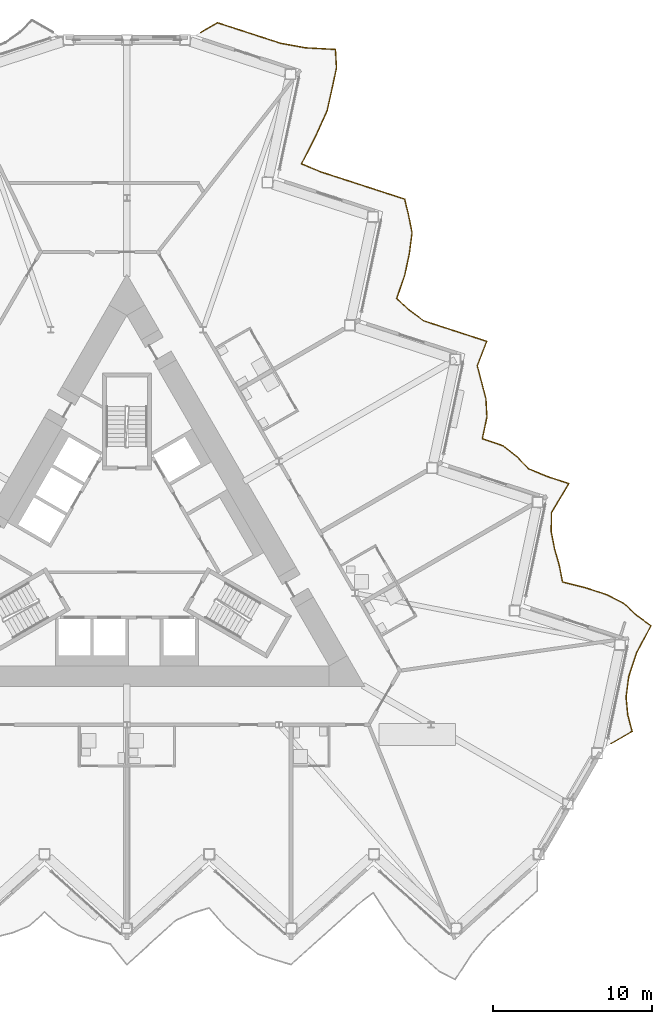
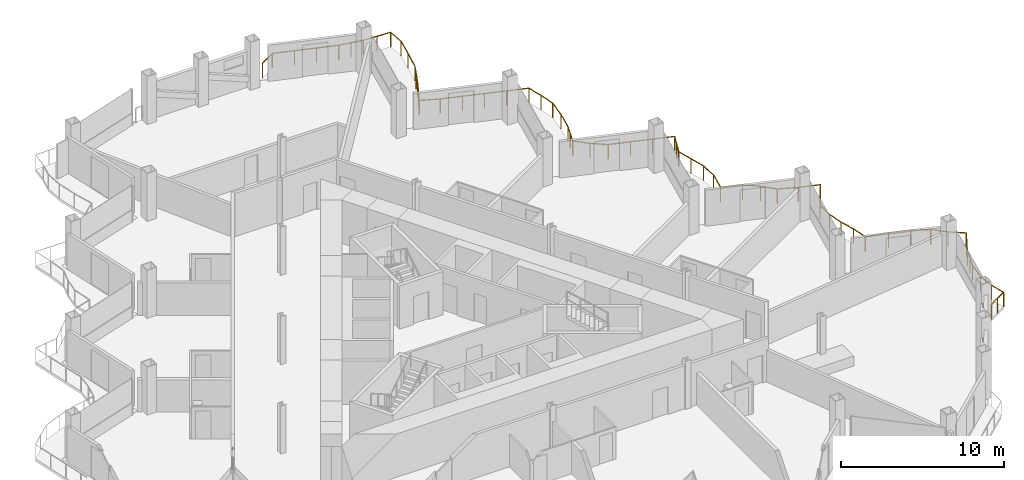
# One storey, part 22 of 24: 1 railing.
"""IFC4 building model written with IfcOpenShell, lengths in metres."""

from ifc_helpers import new_model, si_unit, direction, frame, origin, origin_2d, place, context, subcontext, project, spatial, circle, extrude, material, type_object, element, save


model = new_model("IFC4")

# Units and contexts
model_context = context("Model", 3, precision=1e-05, world=origin(), true_north=direction((0.0, 1.0)))
body_context = subcontext(model_context, "Body", "Model", "MODEL_VIEW")
ifc_project = project(units=[si_unit("LENGTHUNIT", "METRE"), si_unit("AREAUNIT", "SQUARE_METRE"), si_unit("VOLUMEUNIT", "CUBIC_METRE"), si_unit("PLANEANGLEUNIT", "RADIAN"), si_unit("MASSUNIT", "GRAM", prefix="KILO")], contexts=[model_context])

# Site, building, storey
site_placement = place(None, origin())
site = spatial("IfcSite", under=ifc_project, at=site_placement, CompositionType="ELEMENT")
building_placement = place(site_placement, origin())
building = spatial("IfcBuilding", under=site, at=building_placement, Name="Cormorant Prow Tower", CompositionType="ELEMENT")
storey_placement = place(building_placement, frame((0.0, 0.0, 231.0)))
storey = spatial("IfcBuildingStorey", under=building, at=storey_placement, Name="L50", CompositionType="ELEMENT", Elevation=231.0)

# Railing
ifc_material = material(Name="Aluminium 6063-T6", Category="aluminium")
railing_type = type_object("IfcRailingType", Name="Balcony guard 1100", PredefinedType="GUARDRAIL", material=ifc_material)
railing_placement = place(storey_placement, frame((30.512451171875, -12.24365234375, 0.0)))
element("IfcRailing", 1, at=railing_placement, inside=storey, type_object=railing_type, Name="Balcony guard ENE", PredefinedType="GUARDRAIL", context=body_context, shape_type="SweptSolid", body=[
    extrude(circle(Radius=0.02392578125, at=origin_2d()), frame((0.0, 0.0, 1.076171875), z_axis=(0.866030456496, 0.499991248344, 0.0), x_axis=(-0.499991248344, 0.866030456496, 0.0)), (0.0, 0.0, 1.0), 1.52001953125),
    extrude(circle(Radius=0.02392578125, at=origin_2d()), frame((1.31640625, 0.760009765625, 1.076171875), z_axis=(-0.254840792484, 0.966983024921, 0.0), x_axis=(-0.966983024921, -0.254840792484, 0.0)), (0.0, 0.0, 1.0), 1.072021484375),
    extrude(circle(Radius=0.02392578125, at=origin_2d()), frame((1.043212890625, 1.796630859375, 1.076171875), z_axis=(-0.096228090326, 0.995359309311, 0.0), x_axis=(-0.995359309311, -0.096228090326, 0.0)), (0.0, 0.0, 1.0), 1.13671875),
    extrude(circle(Radius=0.02392578125, at=origin_2d()), frame((0.933837890625, 2.927978515625, 1.076171875), z_axis=(0.131035567857, 0.991377667671, 0.0), x_axis=(-0.991377667671, 0.131035567857, 0.0)), (0.0, 0.0, 1.0), 1.30419921875),
    extrude(circle(Radius=0.02392578125, at=origin_2d()), frame((1.104736328125, 4.220947265625, 1.076171875), z_axis=(0.312593203232, 0.949887092919, 0.0), x_axis=(-0.949887092919, 0.312593203232, 0.0)), (0.0, 0.0, 1.0), 1.552734375),
    extrude(circle(Radius=0.02392578125, at=origin_2d()), frame((1.590087890625, 5.69580078125, 1.076171875), z_axis=(0.468727775274, 0.883342670025, 0.0), x_axis=(-0.883342670025, 0.468727775274, 0.0)), (0.0, 0.0, 1.0), 1.948974609375),
    extrude(circle(Radius=0.02392578125, at=origin_2d()), frame((2.503662109375, 7.41748046875, 1.076171875), z_axis=(-0.808512145114, 0.588479490894, 0.0), x_axis=(-0.588479490894, -0.808512145114, 0.0)), (0.0, 0.0, 1.0), 1.1318359375),
    extrude(circle(Radius=0.02392578125, at=origin_2d()), frame((1.588623046875, 8.08349609375, 1.076171875), z_axis=(-0.729332902847, 0.68415898505, 0.0), x_axis=(-0.68415898505, -0.729332902847, 0.0)), (0.0, 0.0, 1.0), 1.080810546875),
    extrude(circle(Radius=0.02392578125, at=origin_2d()), frame((0.80029296875, 8.822998046875, 1.076171875), z_axis=(-0.891036475341, 0.453931712499, 0.0), x_axis=(-0.453931712499, -0.891036475341, 0.0)), (0.0, 0.0, 1.0), 1.233154296875),
    extrude(circle(Radius=0.02392578125, at=origin_2d()), frame((-0.298583984375, 9.3828125, 1.076171875), z_axis=(-0.951041802481, 0.30906227517, 0.0), x_axis=(-0.30906227517, -0.951041802481, 0.0)), (0.0, 0.0, 1.0), 1.391845703125),
    extrude(circle(Radius=0.02392578125, at=origin_2d()), frame((-1.622314453125, 9.81298828125, 1.076171875), z_axis=(-0.970161796479, 0.242458426648, 0.0), x_axis=(-0.242458426648, -0.970161796479, 0.0)), (0.0, 0.0, 1.0), 1.48828125),
    extrude(circle(Radius=0.02392578125, at=origin_2d()), frame((-3.066162109375, 10.173828125, 1.076171875), z_axis=(-0.192507229967, 0.981295555075, 0.0), x_axis=(-0.981295555075, -0.192507229967, 0.0)), (0.0, 0.0, 1.0), 1.09326171875),
    extrude(circle(Radius=0.02392578125, at=origin_2d()), frame((-3.276611328125, 11.24658203125, 1.076171875), z_axis=(-0.276717339996, 0.960951358678, 0.0), x_axis=(-0.960951358678, -0.276717339996, 0.0)), (0.0, 0.0, 1.0), 1.065673828125),
    extrude(circle(Radius=0.02392578125, at=origin_2d()), frame((-3.571533203125, 12.270751953125, 1.076171875), z_axis=(-0.191263897911, 0.981538649955, 0.0), x_axis=(-0.981538649955, -0.191263897911, 0.0)), (0.0, 0.0, 1.0), 1.093994140625),
    extrude(circle(Radius=0.02392578125, at=origin_2d()), frame((-3.78076171875, 13.344482421875, 1.076171875), z_axis=(0.0183993115, 0.99983071834, 0.0), x_axis=(-0.99983071834, 0.0183993115, 0.0)), (0.0, 0.0, 1.0), 1.20751953125),
    extrude(circle(Radius=0.02392578125, at=origin_2d()), frame((-3.758544921875, 14.5517578125, 1.076171875), z_axis=(0.513058699108, 0.85835352348, 0.0), x_axis=(-0.85835352348, 0.513058699108, 0.0)), (0.0, 0.0, 1.0), 2.124755859375),
    extrude(circle(Radius=0.02392578125, at=origin_2d()), frame((-2.66845703125, 16.37548828125, 1.076171875), z_axis=(-0.951025043764, 0.309113840087, 0.0), x_axis=(-0.309113840087, -0.951025043764, 0.0)), (0.0, 0.0, 1.0), 1.3916015625),
    extrude(circle(Radius=0.02392578125, at=origin_2d()), frame((-3.991943359375, 16.8056640625, 1.076171875), z_axis=(-0.924623875509, 0.380881462975, 0.0), x_axis=(-0.380881462975, -0.924623875509, 0.0)), (0.0, 0.0, 1.0), 1.3056640625),
    extrude(circle(Radius=0.02392578125, at=origin_2d()), frame((-5.19921875, 17.302978515625, 1.076171875), z_axis=(-0.698129452418, 0.715971555068, 0.0), x_axis=(-0.715971555068, -0.698129452418, 0.0)), (0.0, 0.0, 1.0), 1.0673828125),
    extrude(circle(Radius=0.02392578125, at=origin_2d()), frame((-5.9443359375, 18.067138671875, 1.076171875), z_axis=(-0.783814393547, 0.62099516622, 0.0), x_axis=(-0.62099516622, -0.783814393547, 0.0)), (0.0, 0.0, 1.0), 1.112548828125),
    extrude(circle(Radius=0.02392578125, at=origin_2d()), frame((-6.81640625, 18.758056640625, 1.076171875), z_axis=(-0.946657972605, 0.322240101327, 0.0), x_axis=(-0.322240101327, -0.946657972605, 0.0)), (0.0, 0.0, 1.0), 1.375),
    extrude(circle(Radius=0.02392578125, at=origin_2d()), frame((-8.1181640625, 19.201171875, 1.076171875), z_axis=(0.208043372931, 0.978119601572, 0.0), x_axis=(-0.978119601572, 0.208043372931, 0.0)), (0.0, 0.0, 1.0), 1.391845703125),
    extrude(circle(Radius=0.02392578125, at=origin_2d()), frame((-7.82861328125, 20.5625, 1.076171875), z_axis=(-0.053663343853, 0.998559084645, 0.0), x_axis=(-0.998559084645, -0.053663343853, 0.0)), (0.0, 0.0, 1.0), 1.16015625),
    extrude(circle(Radius=0.02392578125, at=origin_2d()), frame((-7.890869140625, 21.720947265625, 1.076171875), z_axis=(-0.255804906349, 0.96672842613, 0.0), x_axis=(-0.96672842613, -0.255804906349, 0.0)), (0.0, 0.0, 1.0), 1.07177734375),
    extrude(circle(Radius=0.02392578125, at=origin_2d()), frame((-8.1650390625, 22.757080078125, 1.076171875), z_axis=(-0.254089825129, 0.967180624685, 0.0), x_axis=(-0.967180624685, -0.254089825129, 0.0)), (0.0, 0.0, 1.0), 1.072265625),
    extrude(circle(Radius=0.02392578125, at=origin_2d()), frame((-8.4375, 23.794189453125, 1.076171875), z_axis=(0.361682622655, 0.932301282027, 0.0), x_axis=(-0.932301282027, 0.361682622655, 0.0)), (0.0, 0.0, 1.0), 1.651123046875),
    extrude(circle(Radius=0.02392578125, at=origin_2d()), frame((-7.84033203125, 25.33349609375, 1.076171875), z_axis=(-0.951041802481, 0.30906227517, 0.0), x_axis=(-0.30906227517, -0.951041802481, 0.0)), (0.0, 0.0, 1.0), 1.391845703125),
    extrude(circle(Radius=0.02392578125, at=origin_2d()), frame((-9.1640625, 25.763671875, 1.076171875), z_axis=(-0.951041802481, 0.30906227517, 0.0), x_axis=(-0.30906227517, -0.951041802481, 0.0)), (0.0, 0.0, 1.0), 1.391845703125),
    extrude(circle(Radius=0.02392578125, at=origin_2d()), frame((-10.48779296875, 26.19384765625, 1.076171875), z_axis=(-0.951093348811, 0.308903612552, 0.0), x_axis=(-0.308903612552, -0.951093348811, 0.0)), (0.0, 0.0, 1.0), 1.391845703125),
    extrude(circle(Radius=0.02392578125, at=origin_2d()), frame((-11.8115234375, 26.623779296875, 1.076171875), z_axis=(-0.805338317459, 0.592815480932, 0.0), x_axis=(-0.592815480932, -0.805338317459, 0.0)), (0.0, 0.0, 1.0), 1.129150390625),
    extrude(circle(Radius=0.02392578125, at=origin_2d()), frame((-12.720947265625, 27.293212890625, 1.076171875), z_axis=(-0.730205983412, 0.683227064591, 0.0), x_axis=(-0.683227064591, -0.730205983412, 0.0)), (0.0, 0.0, 1.0), 1.0810546875),
    extrude(circle(Radius=0.02392578125, at=origin_2d()), frame((-13.51025390625, 28.03173828125, 1.076171875), z_axis=(0.32394351761, 0.946076422599, 0.0), x_axis=(-0.946076422599, 0.32394351761, 0.0)), (0.0, 0.0, 1.0), 1.57373046875),
    extrude(circle(Radius=0.02392578125, at=origin_2d()), frame((-13.00048828125, 29.5205078125, 1.076171875), z_axis=(0.207839876658, 0.978162862549, 0.0), x_axis=(-0.978162862549, 0.207839876658, 0.0)), (0.0, 0.0, 1.0), 1.39208984375),
    extrude(circle(Radius=0.02392578125, at=origin_2d()), frame((-12.711181640625, 30.882080078125, 1.076171875), z_axis=(0.127268491601, 0.991868303277, 0.0), x_axis=(-0.991868303277, 0.127268491601, 0.0)), (0.0, 0.0, 1.0), 1.300537109375),
    extrude(circle(Radius=0.02392578125, at=origin_2d()), frame((-12.545654296875, 32.172119140625, 1.076171875), z_axis=(-0.194182012414, 0.980965517261, 0.0), x_axis=(-0.980965517261, -0.194182012414, 0.0)), (0.0, 0.0, 1.0), 1.092529296875),
    extrude(circle(Radius=0.02392578125, at=origin_2d()), frame((-12.7578125, 33.243896484375, 1.076171875), z_axis=(-0.235975942888, 0.971758897247, 0.0), x_axis=(-0.971758897247, -0.235975942888, 0.0)), (0.0, 0.0, 1.0), 1.078125),
    extrude(circle(Radius=0.02392578125, at=origin_2d()), frame((-13.01220703125, 34.29150390625, 1.076171875), z_axis=(-0.951093348811, 0.308903612552, 0.0), x_axis=(-0.308903612552, -0.951093348811, 0.0)), (0.0, 0.0, 1.0), 1.391845703125),
    extrude(circle(Radius=0.02392578125, at=origin_2d()), frame((-14.3359375, 34.721435546875, 1.076171875), z_axis=(-0.950990235276, 0.309220911987, 0.0), x_axis=(-0.309220911987, -0.950990235276, 0.0)), (0.0, 0.0, 1.0), 1.391845703125),
    extrude(circle(Radius=0.02392578125, at=origin_2d()), frame((-15.65966796875, 35.15185546875, 1.076171875), z_axis=(-0.951093348811, 0.308903612552, 0.0), x_axis=(-0.308903612552, -0.951093348811, 0.0)), (0.0, 0.0, 1.0), 1.391845703125),
    extrude(circle(Radius=0.02392578125, at=origin_2d()), frame((-16.9833984375, 35.581787109375, 1.076171875), z_axis=(-0.951041802481, 0.30906227517, 0.0), x_axis=(-0.30906227517, -0.951041802481, 0.0)), (0.0, 0.0, 1.0), 1.391845703125),
    extrude(circle(Radius=0.02392578125, at=origin_2d()), frame((-18.30712890625, 36.011962890625, 1.076171875), z_axis=(-0.923038072254, 0.384708613329, 0.0), x_axis=(-0.384708613329, -0.923038072254, 0.0)), (0.0, 0.0, 1.0), 1.301513671875),
    extrude(circle(Radius=0.02392578125, at=origin_2d()), frame((-19.508544921875, 36.5126953125, 1.076171875), z_axis=(0.455501796215, 0.890234864317, 0.0), x_axis=(-0.890234864317, 0.455501796215, 0.0)), (0.0, 0.0, 1.0), 1.904296875),
    extrude(circle(Radius=0.02392578125, at=origin_2d()), frame((-18.64111328125, 38.2080078125, 1.076171875), z_axis=(0.414917620395, 0.909858982637, 0.0), x_axis=(-0.909858982637, 0.414917620395, 0.0)), (0.0, 0.0, 1.0), 1.78173828125),
    extrude(circle(Radius=0.02392578125, at=origin_2d()), frame((-17.90185546875, 39.8291015625, 1.076171875), z_axis=(0.219024854364, 0.975719279901, 0.0), x_axis=(-0.975719279901, 0.219024854364, 0.0)), (0.0, 0.0, 1.0), 1.40673828125),
    extrude(circle(Radius=0.02392578125, at=origin_2d()), frame((-17.59375, 41.20166015625, 1.076171875), z_axis=(0.208043372931, 0.978119601572, 0.0), x_axis=(-0.978119601572, 0.208043372931, 0.0)), (0.0, 0.0, 1.0), 1.391845703125),
    extrude(circle(Radius=0.02392578125, at=origin_2d()), frame((-17.30419921875, 42.56298828125, 1.076171875), z_axis=(-0.057992644245, 0.99831701038, 0.0), x_axis=(-0.99831701038, -0.057992644245, 0.0)), (0.0, 0.0, 1.0), 1.15771484375),
    extrude(circle(Radius=0.02392578125, at=origin_2d()), frame((-17.371337890625, 43.71875, 1.076171875), z_axis=(-0.998479361675, 0.055126802099, 0.0), x_axis=(-0.055126802099, -0.998479361675, 0.0)), (0.0, 0.0, 1.0), 1.89111328125),
    extrude(circle(Radius=0.02392578125, at=origin_2d()), frame((-19.259521484375, 43.822998046875, 1.076171875), z_axis=(-0.983754816104, 0.179517302209, 0.0), x_axis=(-0.179517302209, -0.983754816104, 0.0)), (0.0, 0.0, 1.0), 1.597900390625),
    extrude(circle(Radius=0.02392578125, at=origin_2d()), frame((-20.83154296875, 44.10986328125, 1.076171875), z_axis=(-0.951093348811, 0.308903612552, 0.0), x_axis=(-0.308903612552, -0.951093348811, 0.0)), (0.0, 0.0, 1.0), 1.391845703125),
    extrude(circle(Radius=0.02392578125, at=origin_2d()), frame((-22.1552734375, 44.539794921875, 1.076171875), z_axis=(-0.951041802481, 0.30906227517, 0.0), x_axis=(-0.30906227517, -0.951041802481, 0.0)), (0.0, 0.0, 1.0), 1.391845703125),
    extrude(circle(Radius=0.02392578125, at=origin_2d()), frame((-23.47900390625, 44.969970703125, 1.076171875), z_axis=(-0.951041802481, 0.30906227517, 0.0), x_axis=(-0.30906227517, -0.951041802481, 0.0)), (0.0, 0.0, 1.0), 1.391845703125),
    extrude(circle(Radius=0.02392578125, at=origin_2d()), frame((-24.802734375, 45.400146484375, 1.076171875), z_axis=(-0.866005645448, -0.500034220881, 0.0), x_axis=(0.500034220881, -0.866005645448, 0.0)), (0.0, 0.0, 1.0), 1.22021484375),
    extrude(circle(Radius=0.02099609375, at=origin_2d()), origin(), (0.0, 0.0, 1.0), 1.052001953125),
    extrude(circle(Radius=0.02099609375, at=origin_2d()), frame((0.658203125, 0.3798828125, 0.0)), (0.0, 0.0, 1.0), 1.052001953125),
    extrude(circle(Radius=0.02099609375, at=origin_2d()), frame((1.31640625, 0.760009765625, 0.0)), (0.0, 0.0, 1.0), 1.052001953125),
    extrude(circle(Radius=0.02099609375, at=origin_2d()), frame((1.043212890625, 1.796630859375, 0.0)), (0.0, 0.0, 1.0), 1.052001953125),
    extrude(circle(Radius=0.02099609375, at=origin_2d()), frame((0.933837890625, 2.927978515625, 0.0)), (0.0, 0.0, 1.0), 1.052001953125),
    extrude(circle(Radius=0.02099609375, at=origin_2d()), frame((1.104736328125, 4.220947265625, 0.0)), (0.0, 0.0, 1.0), 1.052001953125),
    extrude(circle(Radius=0.02099609375, at=origin_2d()), frame((1.347412109375, 4.95849609375, 0.0)), (0.0, 0.0, 1.0), 1.052001953125),
    extrude(circle(Radius=0.02099609375, at=origin_2d()), frame((1.590087890625, 5.69580078125, 0.0)), (0.0, 0.0, 1.0), 1.052001953125),
    extrude(circle(Radius=0.02099609375, at=origin_2d()), frame((2.046875, 6.556640625, 0.0)), (0.0, 0.0, 1.0), 1.052001953125),
    extrude(circle(Radius=0.02099609375, at=origin_2d()), frame((2.503662109375, 7.41748046875, 0.0)), (0.0, 0.0, 1.0), 1.052001953125),
    extrude(circle(Radius=0.02099609375, at=origin_2d()), frame((1.588623046875, 8.08349609375, 0.0)), (0.0, 0.0, 1.0), 1.052001953125),
    extrude(circle(Radius=0.02099609375, at=origin_2d()), frame((0.80029296875, 8.822998046875, 0.0)), (0.0, 0.0, 1.0), 1.052001953125),
    extrude(circle(Radius=0.02099609375, at=origin_2d()), frame((-0.298583984375, 9.3828125, 0.0)), (0.0, 0.0, 1.0), 1.052001953125),
    extrude(circle(Radius=0.02099609375, at=origin_2d()), frame((-1.622314453125, 9.81298828125, 0.0)), (0.0, 0.0, 1.0), 1.052001953125),
    extrude(circle(Radius=0.02099609375, at=origin_2d()), frame((-3.066162109375, 10.173828125, 0.0)), (0.0, 0.0, 1.0), 1.052001953125),
    extrude(circle(Radius=0.02099609375, at=origin_2d()), frame((-3.276611328125, 11.24658203125, 0.0)), (0.0, 0.0, 1.0), 1.052001953125),
    extrude(circle(Radius=0.02099609375, at=origin_2d()), frame((-3.571533203125, 12.270751953125, 0.0)), (0.0, 0.0, 1.0), 1.052001953125),
    extrude(circle(Radius=0.02099609375, at=origin_2d()), frame((-3.78076171875, 13.344482421875, 0.0)), (0.0, 0.0, 1.0), 1.052001953125),
    extrude(circle(Radius=0.02099609375, at=origin_2d()), frame((-3.758544921875, 14.5517578125, 0.0)), (0.0, 0.0, 1.0), 1.052001953125),
    extrude(circle(Radius=0.02099609375, at=origin_2d()), frame((-3.21337890625, 15.463623046875, 0.0)), (0.0, 0.0, 1.0), 1.052001953125),
    extrude(circle(Radius=0.02099609375, at=origin_2d()), frame((-2.66845703125, 16.37548828125, 0.0)), (0.0, 0.0, 1.0), 1.052001953125),
    extrude(circle(Radius=0.02099609375, at=origin_2d()), frame((-3.991943359375, 16.8056640625, 0.0)), (0.0, 0.0, 1.0), 1.052001953125),
    extrude(circle(Radius=0.02099609375, at=origin_2d()), frame((-5.19921875, 17.302978515625, 0.0)), (0.0, 0.0, 1.0), 1.052001953125),
    extrude(circle(Radius=0.02099609375, at=origin_2d()), frame((-5.9443359375, 18.067138671875, 0.0)), (0.0, 0.0, 1.0), 1.052001953125),
    extrude(circle(Radius=0.02099609375, at=origin_2d()), frame((-6.81640625, 18.758056640625, 0.0)), (0.0, 0.0, 1.0), 1.052001953125),
    extrude(circle(Radius=0.02099609375, at=origin_2d()), frame((-8.1181640625, 19.201171875, 0.0)), (0.0, 0.0, 1.0), 1.052001953125),
    extrude(circle(Radius=0.02099609375, at=origin_2d()), frame((-7.82861328125, 20.5625, 0.0)), (0.0, 0.0, 1.0), 1.052001953125),
    extrude(circle(Radius=0.02099609375, at=origin_2d()), frame((-7.890869140625, 21.720947265625, 0.0)), (0.0, 0.0, 1.0), 1.052001953125),
    extrude(circle(Radius=0.02099609375, at=origin_2d()), frame((-8.1650390625, 22.757080078125, 0.0)), (0.0, 0.0, 1.0), 1.052001953125),
    extrude(circle(Radius=0.02099609375, at=origin_2d()), frame((-8.4375, 23.794189453125, 0.0)), (0.0, 0.0, 1.0), 1.052001953125),
    extrude(circle(Radius=0.02099609375, at=origin_2d()), frame((-8.138916015625, 24.56396484375, 0.0)), (0.0, 0.0, 1.0), 1.052001953125),
    extrude(circle(Radius=0.02099609375, at=origin_2d()), frame((-7.84033203125, 25.33349609375, 0.0)), (0.0, 0.0, 1.0), 1.052001953125),
    extrude(circle(Radius=0.02099609375, at=origin_2d()), frame((-9.1640625, 25.763671875, 0.0)), (0.0, 0.0, 1.0), 1.052001953125),
    extrude(circle(Radius=0.02099609375, at=origin_2d()), frame((-10.48779296875, 26.19384765625, 0.0)), (0.0, 0.0, 1.0), 1.052001953125),
    extrude(circle(Radius=0.02099609375, at=origin_2d()), frame((-11.8115234375, 26.623779296875, 0.0)), (0.0, 0.0, 1.0), 1.052001953125),
    extrude(circle(Radius=0.02099609375, at=origin_2d()), frame((-12.720947265625, 27.293212890625, 0.0)), (0.0, 0.0, 1.0), 1.052001953125),
    extrude(circle(Radius=0.02099609375, at=origin_2d()), frame((-13.51025390625, 28.03173828125, 0.0)), (0.0, 0.0, 1.0), 1.052001953125),
    extrude(circle(Radius=0.02099609375, at=origin_2d()), frame((-13.25537109375, 28.776123046875, 0.0)), (0.0, 0.0, 1.0), 1.052001953125),
    extrude(circle(Radius=0.02099609375, at=origin_2d()), frame((-13.00048828125, 29.5205078125, 0.0)), (0.0, 0.0, 1.0), 1.052001953125),
    extrude(circle(Radius=0.02099609375, at=origin_2d()), frame((-12.711181640625, 30.882080078125, 0.0)), (0.0, 0.0, 1.0), 1.052001953125),
    extrude(circle(Radius=0.02099609375, at=origin_2d()), frame((-12.545654296875, 32.172119140625, 0.0)), (0.0, 0.0, 1.0), 1.052001953125),
    extrude(circle(Radius=0.02099609375, at=origin_2d()), frame((-12.7578125, 33.243896484375, 0.0)), (0.0, 0.0, 1.0), 1.052001953125),
    extrude(circle(Radius=0.02099609375, at=origin_2d()), frame((-13.01220703125, 34.29150390625, 0.0)), (0.0, 0.0, 1.0), 1.052001953125),
    extrude(circle(Radius=0.02099609375, at=origin_2d()), frame((-14.3359375, 34.721435546875, 0.0)), (0.0, 0.0, 1.0), 1.052001953125),
    extrude(circle(Radius=0.02099609375, at=origin_2d()), frame((-15.65966796875, 35.15185546875, 0.0)), (0.0, 0.0, 1.0), 1.052001953125),
    extrude(circle(Radius=0.02099609375, at=origin_2d()), frame((-16.9833984375, 35.581787109375, 0.0)), (0.0, 0.0, 1.0), 1.052001953125),
    extrude(circle(Radius=0.02099609375, at=origin_2d()), frame((-18.30712890625, 36.011962890625, 0.0)), (0.0, 0.0, 1.0), 1.052001953125),
    extrude(circle(Radius=0.02099609375, at=origin_2d()), frame((-19.508544921875, 36.5126953125, 0.0)), (0.0, 0.0, 1.0), 1.052001953125),
    extrude(circle(Radius=0.02099609375, at=origin_2d()), frame((-19.07470703125, 37.3603515625, 0.0)), (0.0, 0.0, 1.0), 1.052001953125),
    extrude(circle(Radius=0.02099609375, at=origin_2d()), frame((-18.64111328125, 38.2080078125, 0.0)), (0.0, 0.0, 1.0), 1.052001953125),
    extrude(circle(Radius=0.02099609375, at=origin_2d()), frame((-18.271484375, 39.0185546875, 0.0)), (0.0, 0.0, 1.0), 1.052001953125),
    extrude(circle(Radius=0.02099609375, at=origin_2d()), frame((-17.90185546875, 39.8291015625, 0.0)), (0.0, 0.0, 1.0), 1.052001953125),
    extrude(circle(Radius=0.02099609375, at=origin_2d()), frame((-17.59375, 41.20166015625, 0.0)), (0.0, 0.0, 1.0), 1.052001953125),
    extrude(circle(Radius=0.02099609375, at=origin_2d()), frame((-17.30419921875, 42.56298828125, 0.0)), (0.0, 0.0, 1.0), 1.052001953125),
    extrude(circle(Radius=0.02099609375, at=origin_2d()), frame((-17.371337890625, 43.71875, 0.0)), (0.0, 0.0, 1.0), 1.052001953125),
    extrude(circle(Radius=0.02099609375, at=origin_2d()), frame((-18.3154296875, 43.77099609375, 0.0)), (0.0, 0.0, 1.0), 1.052001953125),
    extrude(circle(Radius=0.02099609375, at=origin_2d()), frame((-19.259521484375, 43.822998046875, 0.0)), (0.0, 0.0, 1.0), 1.052001953125),
    extrude(circle(Radius=0.02099609375, at=origin_2d()), frame((-20.04541015625, 43.96630859375, 0.0)), (0.0, 0.0, 1.0), 1.052001953125),
    extrude(circle(Radius=0.02099609375, at=origin_2d()), frame((-20.83154296875, 44.10986328125, 0.0)), (0.0, 0.0, 1.0), 1.052001953125),
    extrude(circle(Radius=0.02099609375, at=origin_2d()), frame((-22.1552734375, 44.539794921875, 0.0)), (0.0, 0.0, 1.0), 1.052001953125),
    extrude(circle(Radius=0.02099609375, at=origin_2d()), frame((-23.47900390625, 44.969970703125, 0.0)), (0.0, 0.0, 1.0), 1.052001953125),
    extrude(circle(Radius=0.02099609375, at=origin_2d()), frame((-24.802734375, 45.400146484375, 0.0)), (0.0, 0.0, 1.0), 1.052001953125),
    extrude(circle(Radius=0.02099609375, at=origin_2d()), frame((-25.859375, 44.7900390625, 0.0)), (0.0, 0.0, 1.0), 1.052001953125),
])

save(model, "model.ifc")
